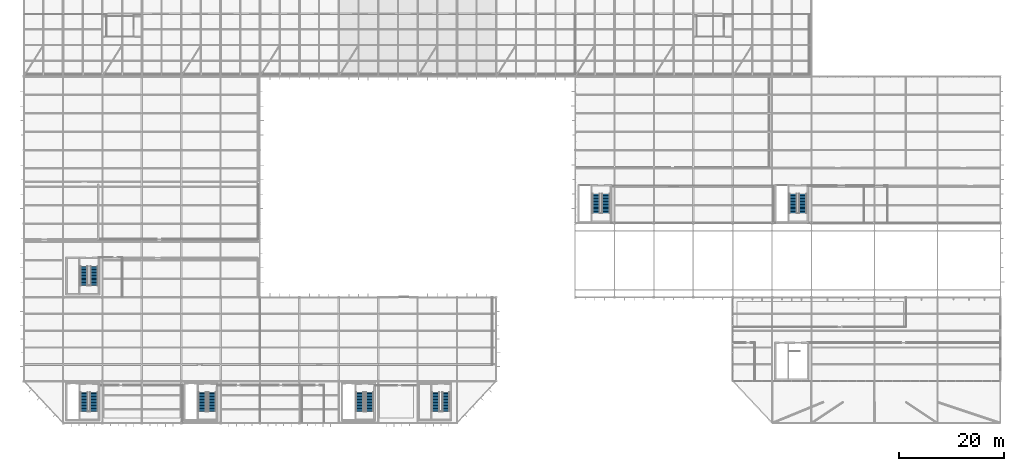
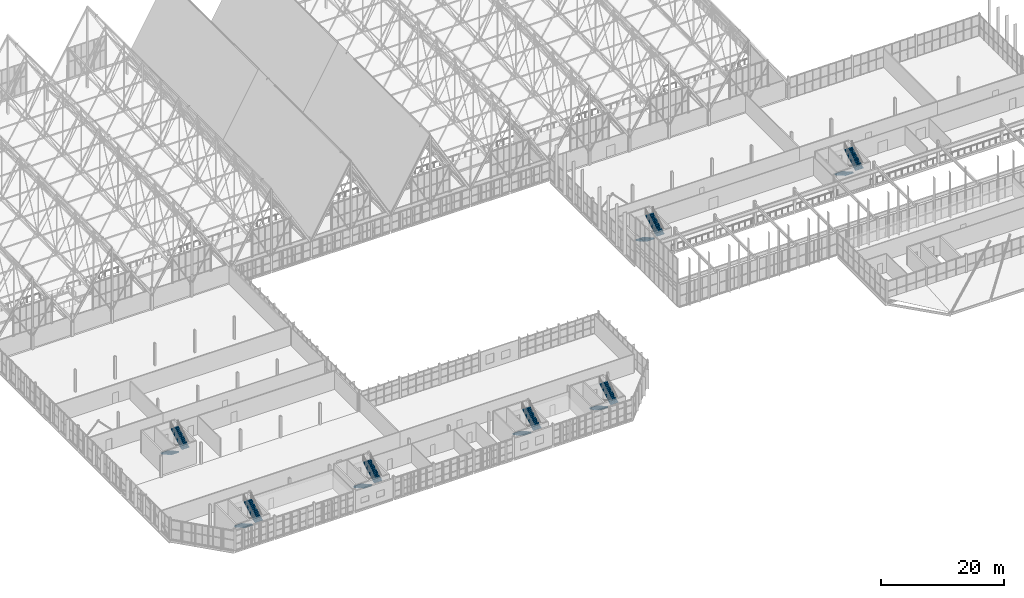
# One storey, part 312 of 324: 14 stair flights, 7 elements without a shape of their own.
"""IFC4 building model written with IfcOpenShell, lengths in metres."""

from ifc_helpers import new_model, si_unit, direction, frame, origin, place, context, subcontext, project, spatial, polyline, outline, extrude, material, type_object, element, aggregate, save


model = new_model("IFC4")

# Units and contexts
model_context = context("Model", 3, precision=1e-05, world=origin(), true_north=direction((0.0, 1.0)))
body_context = subcontext(model_context, "Body", "Model", "MODEL_VIEW")
ifc_project = project(units=[si_unit("LENGTHUNIT", "METRE"), si_unit("AREAUNIT", "SQUARE_METRE"), si_unit("VOLUMEUNIT", "CUBIC_METRE"), si_unit("PLANEANGLEUNIT", "RADIAN"), si_unit("MASSUNIT", "GRAM", prefix="KILO")], contexts=[model_context])

# Site, building, storey
site_placement = place(None, origin())
site = spatial("IfcSite", under=ifc_project, at=site_placement, CompositionType="ELEMENT")
building_placement = place(site_placement, origin())
building = spatial("IfcBuilding", under=site, at=building_placement, Name="Solvenia Promenade Tram Depot", CompositionType="ELEMENT")
storey_placement = place(building_placement, frame((0.0, 0.0, 4.5)))
storey = spatial("IfcBuildingStorey", under=building, at=storey_placement, Name="L01", CompositionType="ELEMENT", Elevation=4.5)

# Stair, stair flights
ifc_material = material(Name="Concrete C28/35", Category="concrete")
stair_type_1 = type_object("IfcStairType", Name="Stair-Core-1400", PredefinedType="TWO_STRAIGHT_RUN_STAIR", material=ifc_material)
stair_1_placement = place(storey_placement, origin())
stair_1 = element("IfcStair", 1, at=stair_1_placement, inside=storey, type_object=stair_type_1, Name="Enclosed Exit Stair ST-04-L01", PredefinedType="TWO_STRAIGHT_RUN_STAIR")
stair_flight_type_1 = type_object("IfcStairFlightType", Name="Flight-Core-1400", PredefinedType="STRAIGHT", material=ifc_material)
stair_flight_1_placement = place(storey_placement, frame((78.47998046875, 5.8701171875, 0.0), z_axis=(0.0, 0.0, 1.0), x_axis=(0.0, -1.0, 0.0)))
stair_flight_1 = element("IfcStairFlight", 2, at=stair_flight_1_placement, type_object=stair_flight_type_1, Name="ST-04-L01 flight 1", NumberOfRisers=14, NumberOfTreads=13, PredefinedType="STRAIGHT", RiserHeight=0.160714286, TreadLength=0.28, context=body_context, shape_type="SweptSolid", body=[
    extrude(outline(polyline([(0.0, 0.0), (0.0, 0.16064453125), (0.280029296875, 0.16064453125), (0.280029296875, 0.321533203125), (0.56005859375, 0.321533203125), (0.56005859375, 0.482177734375), (0.840087890625, 0.482177734375), (0.840087890625, 0.642822265625), (1.1201171875, 0.642822265625), (1.1201171875, 0.803466796875), (1.39990234375, 0.803466796875), (1.39990234375, 0.96435546875), (1.679931640625, 0.96435546875), (1.679931640625, 1.125), (1.9599609375, 1.125), (1.9599609375, 1.28564453125), (2.239990234375, 1.28564453125), (2.239990234375, 1.446533203125), (2.52001953125, 1.446533203125), (2.52001953125, 1.607177734375), (2.800048828125, 1.607177734375), (2.800048828125, 1.767822265625), (3.080078125, 1.767822265625), (3.080078125, 1.928466796875), (3.360107421875, 1.928466796875), (3.360107421875, 2.08935546875), (3.639892578125, 2.08935546875), (3.639892578125, 2.25), (3.639892578125, 1.90478515625), (0.3212890625, 0.0), (0.0, 0.0)])), frame((0.0, 0.699951171875, 0.0), z_axis=(0.0, -1.0, 0.0), x_axis=(1.0, 0.0, 0.0)), (0.0, 0.0, 1.0), 1.39990234375),
])
stair_flight_2_placement = place(storey_placement, frame((80.419921875, 2.22998046875, 2.25), z_axis=(0.0, 0.0, 1.0), x_axis=(0.0, 1.0, 0.0)))
stair_flight_2 = element("IfcStairFlight", 3, at=stair_flight_2_placement, type_object=stair_flight_type_1, Name="ST-04-L01 flight 2", NumberOfRisers=14, NumberOfTreads=13, PredefinedType="STRAIGHT", RiserHeight=0.160714286, TreadLength=0.28, context=body_context, shape_type="SweptSolid", body=[
    extrude(outline(polyline([(0.0, 0.0), (0.0, 0.16064453125), (0.280029296875, 0.16064453125), (0.280029296875, 0.321533203125), (0.56005859375, 0.321533203125), (0.56005859375, 0.482177734375), (0.840087890625, 0.482177734375), (0.840087890625, 0.642822265625), (1.1201171875, 0.642822265625), (1.1201171875, 0.803466796875), (1.39990234375, 0.803466796875), (1.39990234375, 0.96435546875), (1.679931640625, 0.96435546875), (1.679931640625, 1.125), (1.9599609375, 1.125), (1.9599609375, 1.28564453125), (2.239990234375, 1.28564453125), (2.239990234375, 1.446533203125), (2.52001953125, 1.446533203125), (2.52001953125, 1.607177734375), (2.800048828125, 1.607177734375), (2.800048828125, 1.767822265625), (3.080078125, 1.767822265625), (3.080078125, 1.928466796875), (3.360107421875, 1.928466796875), (3.360107421875, 2.08935546875), (3.639892578125, 2.08935546875), (3.639892578125, 2.25), (3.639892578125, 1.90478515625), (0.3212890625, 0.0), (0.0, 0.0)])), frame((0.0, 0.699951171875, 0.0), z_axis=(0.0, -1.0, 0.0), x_axis=(1.0, 0.0, 0.0)), (0.0, 0.0, 1.0), 1.39990234375),
])
aggregate(stair_1, [stair_flight_1, stair_flight_2])

stair_2_placement = place(storey_placement, origin())
stair_2 = element("IfcStair", 4, at=stair_2_placement, inside=storey, type_object=stair_type_1, Name="Enclosed Exit Stair ST-07-L01", PredefinedType="TWO_STRAIGHT_RUN_STAIR")
stair_flight_3_placement = place(storey_placement, frame((11.47998046875, 29.820068359375, 0.0), z_axis=(0.0, 0.0, 1.0), x_axis=(0.0, -1.0, 0.0)))
stair_flight_3 = element("IfcStairFlight", 5, at=stair_flight_3_placement, type_object=stair_flight_type_1, Name="ST-07-L01 flight 1", NumberOfRisers=14, NumberOfTreads=13, PredefinedType="STRAIGHT", RiserHeight=0.160714286, TreadLength=0.28, context=body_context, shape_type="SweptSolid", body=[
    extrude(outline(polyline([(0.0, 0.0), (0.0, 0.16064453125), (0.280029296875, 0.16064453125), (0.280029296875, 0.321533203125), (0.56005859375, 0.321533203125), (0.56005859375, 0.482177734375), (0.840087890625, 0.482177734375), (0.840087890625, 0.642822265625), (1.1201171875, 0.642822265625), (1.1201171875, 0.803466796875), (1.39990234375, 0.803466796875), (1.39990234375, 0.96435546875), (1.679931640625, 0.96435546875), (1.679931640625, 1.125), (1.9599609375, 1.125), (1.9599609375, 1.28564453125), (2.239990234375, 1.28564453125), (2.239990234375, 1.446533203125), (2.52001953125, 1.446533203125), (2.52001953125, 1.607177734375), (2.800048828125, 1.607177734375), (2.800048828125, 1.767822265625), (3.080078125, 1.767822265625), (3.080078125, 1.928466796875), (3.360107421875, 1.928466796875), (3.360107421875, 2.08935546875), (3.639892578125, 2.08935546875), (3.639892578125, 2.25), (3.639892578125, 1.90478515625), (0.3212890625, 0.0), (0.0, 0.0)])), frame((0.0, 0.699951171875, 0.0), z_axis=(0.0, -1.0, 0.0), x_axis=(1.0, 0.0, 0.0)), (0.0, 0.0, 1.0), 1.39990234375),
])
stair_flight_4_placement = place(storey_placement, frame((13.419921875, 26.179931640625, 2.25), z_axis=(0.0, 0.0, 1.0), x_axis=(0.0, 1.0, 0.0)))
stair_flight_4 = element("IfcStairFlight", 6, at=stair_flight_4_placement, type_object=stair_flight_type_1, Name="ST-07-L01 flight 2", NumberOfRisers=14, NumberOfTreads=13, PredefinedType="STRAIGHT", RiserHeight=0.160714286, TreadLength=0.28, context=body_context, shape_type="SweptSolid", body=[
    extrude(outline(polyline([(0.0, 0.0), (0.0, 0.16064453125), (0.280029296875, 0.16064453125), (0.280029296875, 0.321533203125), (0.56005859375, 0.321533203125), (0.56005859375, 0.482177734375), (0.840087890625, 0.482177734375), (0.840087890625, 0.642822265625), (1.1201171875, 0.642822265625), (1.1201171875, 0.803466796875), (1.39990234375, 0.803466796875), (1.39990234375, 0.96435546875), (1.679931640625, 0.96435546875), (1.679931640625, 1.125), (1.9599609375, 1.125), (1.9599609375, 1.28564453125), (2.239990234375, 1.28564453125), (2.239990234375, 1.446533203125), (2.52001953125, 1.446533203125), (2.52001953125, 1.607177734375), (2.800048828125, 1.607177734375), (2.800048828125, 1.767822265625), (3.080078125, 1.767822265625), (3.080078125, 1.928466796875), (3.360107421875, 1.928466796875), (3.360107421875, 2.08935546875), (3.639892578125, 2.08935546875), (3.639892578125, 2.25), (3.639892578125, 1.90478515625), (0.3212890625, 0.0), (0.0, 0.0)])), frame((0.0, 0.699951171875, 0.0), z_axis=(0.0, -1.0, 0.0), x_axis=(1.0, 0.0, 0.0)), (0.0, 0.0, 1.0), 1.39990234375),
])
aggregate(stair_2, [stair_flight_3, stair_flight_4])

stair_type_2 = type_object("IfcStairType", Name="Stair-Core-1460", PredefinedType="TWO_STRAIGHT_RUN_STAIR", material=ifc_material)
stair_3_placement = place(storey_placement, origin())
stair_3 = element("IfcStair", 7, at=stair_3_placement, inside=storey, type_object=stair_type_2, Name="Enclosed Exit Stair ST-01-L01", PredefinedType="TWO_STRAIGHT_RUN_STAIR")
stair_flight_type_2 = type_object("IfcStairFlightType", Name="Flight-Core-1460", PredefinedType="STRAIGHT", material=ifc_material)
stair_flight_5_placement = place(storey_placement, frame((11.510009765625, 5.8701171875, 0.0), z_axis=(0.0, 0.0, 1.0), x_axis=(0.0, -1.0, 0.0)))
stair_flight_5 = element("IfcStairFlight", 8, at=stair_flight_5_placement, type_object=stair_flight_type_2, Name="ST-01-L01 flight 1", NumberOfRisers=14, NumberOfTreads=13, PredefinedType="STRAIGHT", RiserHeight=0.160714286, TreadLength=0.28, context=body_context, shape_type="SweptSolid", body=[
    extrude(outline(polyline([(0.0, 0.0), (0.0, 0.16064453125), (0.280029296875, 0.16064453125), (0.280029296875, 0.321533203125), (0.56005859375, 0.321533203125), (0.56005859375, 0.482177734375), (0.840087890625, 0.482177734375), (0.840087890625, 0.642822265625), (1.1201171875, 0.642822265625), (1.1201171875, 0.803466796875), (1.39990234375, 0.803466796875), (1.39990234375, 0.96435546875), (1.679931640625, 0.96435546875), (1.679931640625, 1.125), (1.9599609375, 1.125), (1.9599609375, 1.28564453125), (2.239990234375, 1.28564453125), (2.239990234375, 1.446533203125), (2.52001953125, 1.446533203125), (2.52001953125, 1.607177734375), (2.800048828125, 1.607177734375), (2.800048828125, 1.767822265625), (3.080078125, 1.767822265625), (3.080078125, 1.928466796875), (3.360107421875, 1.928466796875), (3.360107421875, 2.08935546875), (3.639892578125, 2.08935546875), (3.639892578125, 2.25), (3.639892578125, 1.90478515625), (0.3212890625, 0.0), (0.0, 0.0)])), frame((0.0, 0.72998046875, 0.0), z_axis=(0.0, -1.0, 0.0), x_axis=(1.0, 0.0, 0.0)), (0.0, 0.0, 1.0), 1.4599609375),
])
stair_flight_6_placement = place(storey_placement, frame((13.389892578125, 2.22998046875, 2.25), z_axis=(0.0, 0.0, 1.0), x_axis=(0.0, 1.0, 0.0)))
stair_flight_6 = element("IfcStairFlight", 9, at=stair_flight_6_placement, type_object=stair_flight_type_2, Name="ST-01-L01 flight 2", NumberOfRisers=14, NumberOfTreads=13, PredefinedType="STRAIGHT", RiserHeight=0.160714286, TreadLength=0.28, context=body_context, shape_type="SweptSolid", body=[
    extrude(outline(polyline([(0.0, 0.0), (0.0, 0.16064453125), (0.280029296875, 0.16064453125), (0.280029296875, 0.321533203125), (0.56005859375, 0.321533203125), (0.56005859375, 0.482177734375), (0.840087890625, 0.482177734375), (0.840087890625, 0.642822265625), (1.1201171875, 0.642822265625), (1.1201171875, 0.803466796875), (1.39990234375, 0.803466796875), (1.39990234375, 0.96435546875), (1.679931640625, 0.96435546875), (1.679931640625, 1.125), (1.9599609375, 1.125), (1.9599609375, 1.28564453125), (2.239990234375, 1.28564453125), (2.239990234375, 1.446533203125), (2.52001953125, 1.446533203125), (2.52001953125, 1.607177734375), (2.800048828125, 1.607177734375), (2.800048828125, 1.767822265625), (3.080078125, 1.767822265625), (3.080078125, 1.928466796875), (3.360107421875, 1.928466796875), (3.360107421875, 2.08935546875), (3.639892578125, 2.08935546875), (3.639892578125, 2.25), (3.639892578125, 1.90478515625), (0.3212890625, 0.0), (0.0, 0.0)])), frame((0.0, 0.72998046875, 0.0), z_axis=(0.0, -1.0, 0.0), x_axis=(1.0, 0.0, 0.0)), (0.0, 0.0, 1.0), 1.4599609375),
])
aggregate(stair_3, [stair_flight_5, stair_flight_6])

stair_4_placement = place(storey_placement, origin())
stair_4 = element("IfcStair", 10, at=stair_4_placement, inside=storey, type_object=stair_type_2, Name="Enclosed Exit Stair ST-02-L01", PredefinedType="TWO_STRAIGHT_RUN_STAIR")
stair_flight_7_placement = place(storey_placement, frame((34.010009765625, 5.8701171875, 0.0), z_axis=(0.0, 0.0, 1.0), x_axis=(0.0, -1.0, 0.0)))
stair_flight_7 = element("IfcStairFlight", 11, at=stair_flight_7_placement, type_object=stair_flight_type_2, Name="ST-02-L01 flight 1", NumberOfRisers=14, NumberOfTreads=13, PredefinedType="STRAIGHT", RiserHeight=0.160714286, TreadLength=0.28, context=body_context, shape_type="SweptSolid", body=[
    extrude(outline(polyline([(0.0, 0.0), (0.0, 0.16064453125), (0.280029296875, 0.16064453125), (0.280029296875, 0.321533203125), (0.56005859375, 0.321533203125), (0.56005859375, 0.482177734375), (0.840087890625, 0.482177734375), (0.840087890625, 0.642822265625), (1.1201171875, 0.642822265625), (1.1201171875, 0.803466796875), (1.39990234375, 0.803466796875), (1.39990234375, 0.96435546875), (1.679931640625, 0.96435546875), (1.679931640625, 1.125), (1.9599609375, 1.125), (1.9599609375, 1.28564453125), (2.239990234375, 1.28564453125), (2.239990234375, 1.446533203125), (2.52001953125, 1.446533203125), (2.52001953125, 1.607177734375), (2.800048828125, 1.607177734375), (2.800048828125, 1.767822265625), (3.080078125, 1.767822265625), (3.080078125, 1.928466796875), (3.360107421875, 1.928466796875), (3.360107421875, 2.08935546875), (3.639892578125, 2.08935546875), (3.639892578125, 2.25), (3.639892578125, 1.90478515625), (0.3212890625, 0.0), (0.0, 0.0)])), frame((0.0, 0.72998046875, 0.0), z_axis=(0.0, -1.0, 0.0), x_axis=(1.0, 0.0, 0.0)), (0.0, 0.0, 1.0), 1.4599609375),
])
stair_flight_8_placement = place(storey_placement, frame((35.889892578125, 2.22998046875, 2.25), z_axis=(0.0, 0.0, 1.0), x_axis=(0.0, 1.0, 0.0)))
stair_flight_8 = element("IfcStairFlight", 12, at=stair_flight_8_placement, type_object=stair_flight_type_2, Name="ST-02-L01 flight 2", NumberOfRisers=14, NumberOfTreads=13, PredefinedType="STRAIGHT", RiserHeight=0.160714286, TreadLength=0.28, context=body_context, shape_type="SweptSolid", body=[
    extrude(outline(polyline([(0.0, 0.0), (0.0, 0.16064453125), (0.280029296875, 0.16064453125), (0.280029296875, 0.321533203125), (0.56005859375, 0.321533203125), (0.56005859375, 0.482177734375), (0.840087890625, 0.482177734375), (0.840087890625, 0.642822265625), (1.1201171875, 0.642822265625), (1.1201171875, 0.803466796875), (1.39990234375, 0.803466796875), (1.39990234375, 0.96435546875), (1.679931640625, 0.96435546875), (1.679931640625, 1.125), (1.9599609375, 1.125), (1.9599609375, 1.28564453125), (2.239990234375, 1.28564453125), (2.239990234375, 1.446533203125), (2.52001953125, 1.446533203125), (2.52001953125, 1.607177734375), (2.800048828125, 1.607177734375), (2.800048828125, 1.767822265625), (3.080078125, 1.767822265625), (3.080078125, 1.928466796875), (3.360107421875, 1.928466796875), (3.360107421875, 2.08935546875), (3.639892578125, 2.08935546875), (3.639892578125, 2.25), (3.639892578125, 1.90478515625), (0.3212890625, 0.0), (0.0, 0.0)])), frame((0.0, 0.72998046875, 0.0), z_axis=(0.0, -1.0, 0.0), x_axis=(1.0, 0.0, 0.0)), (0.0, 0.0, 1.0), 1.4599609375),
])
aggregate(stair_4, [stair_flight_7, stair_flight_8])

stair_5_placement = place(storey_placement, origin())
stair_5 = element("IfcStair", 13, at=stair_5_placement, inside=storey, type_object=stair_type_2, Name="Enclosed Exit Stair ST-03-L01", PredefinedType="TWO_STRAIGHT_RUN_STAIR")
stair_flight_9_placement = place(storey_placement, frame((64.010009765625, 5.8701171875, 0.0), z_axis=(0.0, 0.0, 1.0), x_axis=(0.0, -1.0, 0.0)))
stair_flight_9 = element("IfcStairFlight", 14, at=stair_flight_9_placement, type_object=stair_flight_type_2, Name="ST-03-L01 flight 1", NumberOfRisers=14, NumberOfTreads=13, PredefinedType="STRAIGHT", RiserHeight=0.160714286, TreadLength=0.28, context=body_context, shape_type="SweptSolid", body=[
    extrude(outline(polyline([(0.0, 0.0), (0.0, 0.16064453125), (0.280029296875, 0.16064453125), (0.280029296875, 0.321533203125), (0.56005859375, 0.321533203125), (0.56005859375, 0.482177734375), (0.840087890625, 0.482177734375), (0.840087890625, 0.642822265625), (1.1201171875, 0.642822265625), (1.1201171875, 0.803466796875), (1.39990234375, 0.803466796875), (1.39990234375, 0.96435546875), (1.679931640625, 0.96435546875), (1.679931640625, 1.125), (1.9599609375, 1.125), (1.9599609375, 1.28564453125), (2.239990234375, 1.28564453125), (2.239990234375, 1.446533203125), (2.52001953125, 1.446533203125), (2.52001953125, 1.607177734375), (2.800048828125, 1.607177734375), (2.800048828125, 1.767822265625), (3.080078125, 1.767822265625), (3.080078125, 1.928466796875), (3.360107421875, 1.928466796875), (3.360107421875, 2.08935546875), (3.639892578125, 2.08935546875), (3.639892578125, 2.25), (3.639892578125, 1.90478515625), (0.3212890625, 0.0), (0.0, 0.0)])), frame((0.0, 0.72998046875, 0.0), z_axis=(0.0, -1.0, 0.0), x_axis=(1.0, 0.0, 0.0)), (0.0, 0.0, 1.0), 1.4599609375),
])
stair_flight_10_placement = place(storey_placement, frame((65.889892578125, 2.22998046875, 2.25), z_axis=(0.0, 0.0, 1.0), x_axis=(0.0, 1.0, 0.0)))
stair_flight_10 = element("IfcStairFlight", 15, at=stair_flight_10_placement, type_object=stair_flight_type_2, Name="ST-03-L01 flight 2", NumberOfRisers=14, NumberOfTreads=13, PredefinedType="STRAIGHT", RiserHeight=0.160714286, TreadLength=0.28, context=body_context, shape_type="SweptSolid", body=[
    extrude(outline(polyline([(0.0, 0.0), (0.0, 0.16064453125), (0.280029296875, 0.16064453125), (0.280029296875, 0.321533203125), (0.56005859375, 0.321533203125), (0.56005859375, 0.482177734375), (0.840087890625, 0.482177734375), (0.840087890625, 0.642822265625), (1.1201171875, 0.642822265625), (1.1201171875, 0.803466796875), (1.39990234375, 0.803466796875), (1.39990234375, 0.96435546875), (1.679931640625, 0.96435546875), (1.679931640625, 1.125), (1.9599609375, 1.125), (1.9599609375, 1.28564453125), (2.239990234375, 1.28564453125), (2.239990234375, 1.446533203125), (2.52001953125, 1.446533203125), (2.52001953125, 1.607177734375), (2.800048828125, 1.607177734375), (2.800048828125, 1.767822265625), (3.080078125, 1.767822265625), (3.080078125, 1.928466796875), (3.360107421875, 1.928466796875), (3.360107421875, 2.08935546875), (3.639892578125, 2.08935546875), (3.639892578125, 2.25), (3.639892578125, 1.90478515625), (0.3212890625, 0.0), (0.0, 0.0)])), frame((0.0, 0.72998046875, 0.0), z_axis=(0.0, -1.0, 0.0), x_axis=(1.0, 0.0, 0.0)), (0.0, 0.0, 1.0), 1.4599609375),
])
aggregate(stair_5, [stair_flight_9, stair_flight_10])

stair_6_placement = place(storey_placement, origin())
stair_6 = element("IfcStair", 16, at=stair_6_placement, inside=storey, type_object=stair_type_2, Name="Enclosed Exit Stair ST-05-L01", PredefinedType="TWO_STRAIGHT_RUN_STAIR")
stair_flight_11_placement = place(storey_placement, frame((109.010009765625, 43.6201171875, 0.0), z_axis=(0.0, 0.0, 1.0), x_axis=(0.0, -1.0, 0.0)))
stair_flight_11 = element("IfcStairFlight", 17, at=stair_flight_11_placement, type_object=stair_flight_type_2, Name="ST-05-L01 flight 1", NumberOfRisers=14, NumberOfTreads=13, PredefinedType="STRAIGHT", RiserHeight=0.160714286, TreadLength=0.28, context=body_context, shape_type="SweptSolid", body=[
    extrude(outline(polyline([(0.0, 0.0), (0.0, 0.16064453125), (0.280029296875, 0.16064453125), (0.280029296875, 0.321533203125), (0.56005859375, 0.321533203125), (0.56005859375, 0.482177734375), (0.840087890625, 0.482177734375), (0.840087890625, 0.642822265625), (1.1201171875, 0.642822265625), (1.1201171875, 0.803466796875), (1.39990234375, 0.803466796875), (1.39990234375, 0.96435546875), (1.679931640625, 0.96435546875), (1.679931640625, 1.125), (1.9599609375, 1.125), (1.9599609375, 1.28564453125), (2.239990234375, 1.28564453125), (2.239990234375, 1.446533203125), (2.52001953125, 1.446533203125), (2.52001953125, 1.607177734375), (2.800048828125, 1.607177734375), (2.800048828125, 1.767822265625), (3.080078125, 1.767822265625), (3.080078125, 1.928466796875), (3.360107421875, 1.928466796875), (3.360107421875, 2.08935546875), (3.639892578125, 2.08935546875), (3.639892578125, 2.25), (3.639892578125, 1.90478515625), (0.3212890625, 0.0), (0.0, 0.0)])), frame((0.0, 0.72998046875, 0.0), z_axis=(0.0, -1.0, 0.0), x_axis=(1.0, 0.0, 0.0)), (0.0, 0.0, 1.0), 1.4599609375),
])
stair_flight_12_placement = place(storey_placement, frame((110.889892578125, 39.97998046875, 2.25), z_axis=(0.0, 0.0, 1.0), x_axis=(0.0, 1.0, 0.0)))
stair_flight_12 = element("IfcStairFlight", 18, at=stair_flight_12_placement, type_object=stair_flight_type_2, Name="ST-05-L01 flight 2", NumberOfRisers=14, NumberOfTreads=13, PredefinedType="STRAIGHT", RiserHeight=0.160714286, TreadLength=0.28, context=body_context, shape_type="SweptSolid", body=[
    extrude(outline(polyline([(0.0, 0.0), (0.0, 0.16064453125), (0.280029296875, 0.16064453125), (0.280029296875, 0.321533203125), (0.56005859375, 0.321533203125), (0.56005859375, 0.482177734375), (0.840087890625, 0.482177734375), (0.840087890625, 0.642822265625), (1.1201171875, 0.642822265625), (1.1201171875, 0.803466796875), (1.39990234375, 0.803466796875), (1.39990234375, 0.96435546875), (1.679931640625, 0.96435546875), (1.679931640625, 1.125), (1.9599609375, 1.125), (1.9599609375, 1.28564453125), (2.239990234375, 1.28564453125), (2.239990234375, 1.446533203125), (2.52001953125, 1.446533203125), (2.52001953125, 1.607177734375), (2.800048828125, 1.607177734375), (2.800048828125, 1.767822265625), (3.080078125, 1.767822265625), (3.080078125, 1.928466796875), (3.360107421875, 1.928466796875), (3.360107421875, 2.08935546875), (3.639892578125, 2.08935546875), (3.639892578125, 2.25), (3.639892578125, 1.90478515625), (0.3212890625, 0.0), (0.0, 0.0)])), frame((0.0, 0.72998046875, 0.0), z_axis=(0.0, -1.0, 0.0), x_axis=(1.0, 0.0, 0.0)), (0.0, 0.0, 1.0), 1.4599609375),
])
aggregate(stair_6, [stair_flight_11, stair_flight_12])

stair_7_placement = place(storey_placement, origin())
stair_7 = element("IfcStair", 19, at=stair_7_placement, inside=storey, type_object=stair_type_2, Name="Enclosed Exit Stair ST-06-L01", PredefinedType="TWO_STRAIGHT_RUN_STAIR")
stair_flight_13_placement = place(storey_placement, frame((146.510009765625, 43.6201171875, 0.0), z_axis=(0.0, 0.0, 1.0), x_axis=(0.0, -1.0, 0.0)))
stair_flight_13 = element("IfcStairFlight", 20, at=stair_flight_13_placement, type_object=stair_flight_type_2, Name="ST-06-L01 flight 1", NumberOfRisers=14, NumberOfTreads=13, PredefinedType="STRAIGHT", RiserHeight=0.160714286, TreadLength=0.28, context=body_context, shape_type="SweptSolid", body=[
    extrude(outline(polyline([(0.0, 0.0), (0.0, 0.16064453125), (0.280029296875, 0.16064453125), (0.280029296875, 0.321533203125), (0.56005859375, 0.321533203125), (0.56005859375, 0.482177734375), (0.840087890625, 0.482177734375), (0.840087890625, 0.642822265625), (1.1201171875, 0.642822265625), (1.1201171875, 0.803466796875), (1.39990234375, 0.803466796875), (1.39990234375, 0.96435546875), (1.679931640625, 0.96435546875), (1.679931640625, 1.125), (1.9599609375, 1.125), (1.9599609375, 1.28564453125), (2.239990234375, 1.28564453125), (2.239990234375, 1.446533203125), (2.52001953125, 1.446533203125), (2.52001953125, 1.607177734375), (2.800048828125, 1.607177734375), (2.800048828125, 1.767822265625), (3.080078125, 1.767822265625), (3.080078125, 1.928466796875), (3.360107421875, 1.928466796875), (3.360107421875, 2.08935546875), (3.639892578125, 2.08935546875), (3.639892578125, 2.25), (3.639892578125, 1.90478515625), (0.3212890625, 0.0), (0.0, 0.0)])), frame((0.0, 0.72998046875, 0.0), z_axis=(0.0, -1.0, 0.0), x_axis=(1.0, 0.0, 0.0)), (0.0, 0.0, 1.0), 1.4599609375),
])
stair_flight_14_placement = place(storey_placement, frame((148.389892578125, 39.97998046875, 2.25), z_axis=(0.0, 0.0, 1.0), x_axis=(0.0, 1.0, 0.0)))
stair_flight_14 = element("IfcStairFlight", 21, at=stair_flight_14_placement, type_object=stair_flight_type_2, Name="ST-06-L01 flight 2", NumberOfRisers=14, NumberOfTreads=13, PredefinedType="STRAIGHT", RiserHeight=0.160714286, TreadLength=0.28, context=body_context, shape_type="SweptSolid", body=[
    extrude(outline(polyline([(0.0, 0.0), (0.0, 0.16064453125), (0.280029296875, 0.16064453125), (0.280029296875, 0.321533203125), (0.56005859375, 0.321533203125), (0.56005859375, 0.482177734375), (0.840087890625, 0.482177734375), (0.840087890625, 0.642822265625), (1.1201171875, 0.642822265625), (1.1201171875, 0.803466796875), (1.39990234375, 0.803466796875), (1.39990234375, 0.96435546875), (1.679931640625, 0.96435546875), (1.679931640625, 1.125), (1.9599609375, 1.125), (1.9599609375, 1.28564453125), (2.239990234375, 1.28564453125), (2.239990234375, 1.446533203125), (2.52001953125, 1.446533203125), (2.52001953125, 1.607177734375), (2.800048828125, 1.607177734375), (2.800048828125, 1.767822265625), (3.080078125, 1.767822265625), (3.080078125, 1.928466796875), (3.360107421875, 1.928466796875), (3.360107421875, 2.08935546875), (3.639892578125, 2.08935546875), (3.639892578125, 2.25), (3.639892578125, 1.90478515625), (0.3212890625, 0.0), (0.0, 0.0)])), frame((0.0, 0.72998046875, 0.0), z_axis=(0.0, -1.0, 0.0), x_axis=(1.0, 0.0, 0.0)), (0.0, 0.0, 1.0), 1.4599609375),
])
aggregate(stair_7, [stair_flight_13, stair_flight_14])

save(model, "model.ifc")
